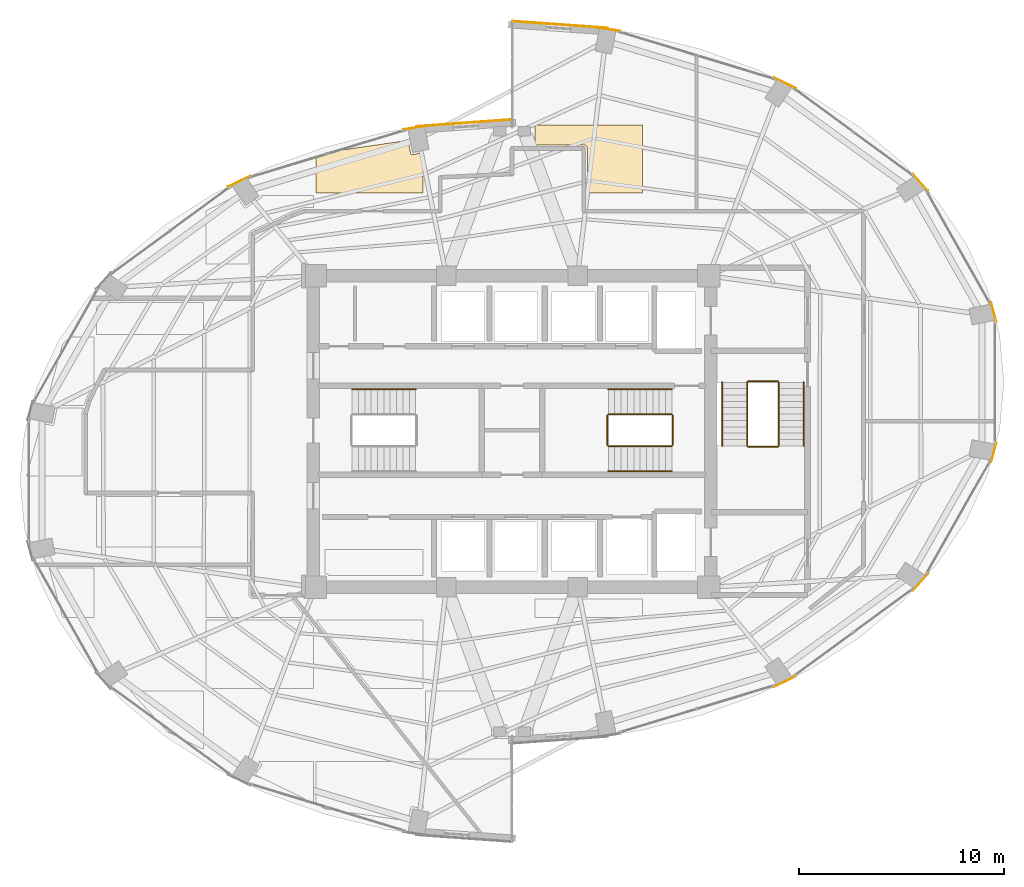
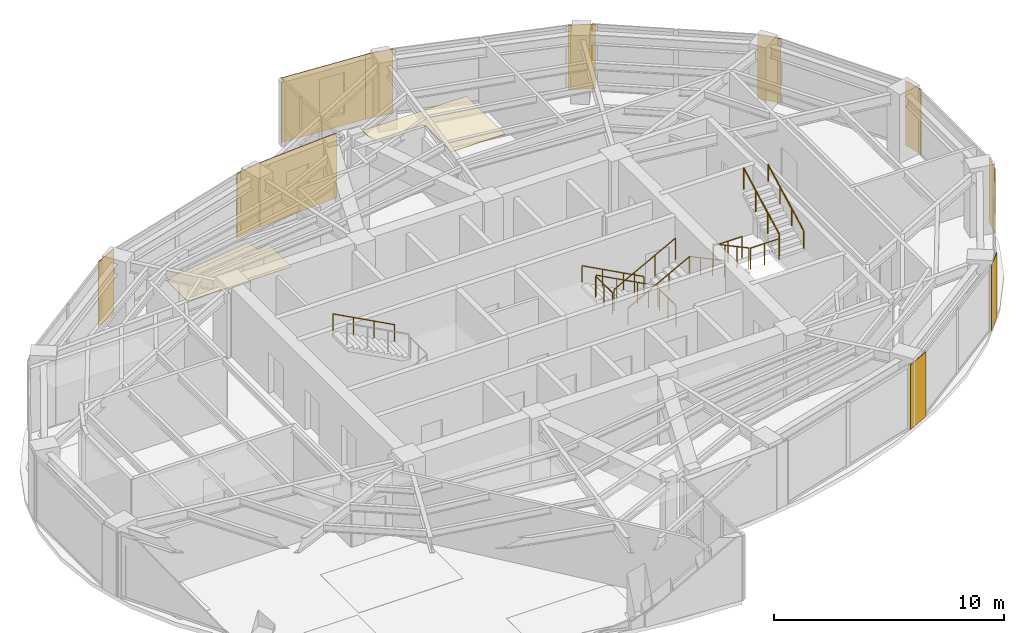
# One storey, part 20 of 20: 13 coverings, 13 railings.
"""IFC4 building model written with IfcOpenShell, lengths in metres."""

from ifc_helpers import new_model, si_unit, direction, frame, origin, origin_2d, place, context, subcontext, project, spatial, polyline, rectangle, circle, outline, extrude, material, layer, layer_set, type_object, element, save


model = new_model("IFC4")

# Units and contexts
model_context = context("Model", 3, precision=1e-05, world=origin(), true_north=direction((0.0, 1.0)))
body_context = subcontext(model_context, "Body", "Model", "MODEL_VIEW")
ifc_project = project(units=[si_unit("LENGTHUNIT", "METRE"), si_unit("AREAUNIT", "SQUARE_METRE"), si_unit("VOLUMEUNIT", "CUBIC_METRE"), si_unit("PLANEANGLEUNIT", "RADIAN"), si_unit("MASSUNIT", "GRAM", prefix="KILO")], contexts=[model_context])

# Site, building, storey
site_placement = place(None, origin())
site = spatial("IfcSite", under=ifc_project, at=site_placement, CompositionType="ELEMENT")
building_placement = place(site_placement, origin())
building = spatial("IfcBuilding", under=site, at=building_placement, Name="Lazwardi Medical Tower", CompositionType="ELEMENT")
storey_placement = place(building_placement, frame((0.0, 0.0, 152.8798828125)))
storey = spatial("IfcBuildingStorey", under=building, at=storey_placement, Name="L39", CompositionType="ELEMENT", Elevation=152.8798828125)

# Coverings
ifc_material_1 = material(Name="Anodised bronze aluminium cassette cladding", Category="aluminium")
ifc_layer_1 = layer(ifc_material_1, 0.030029296875)
ifc_layer_set_1 = layer_set([ifc_layer_1], Name="Anodised bronze aluminium cassette cladding")
covering_type_1 = type_object("IfcCoveringType", Name="COV-CLD-BRZ", PredefinedType="CLADDING", material=ifc_layer_set_1)
covering_1_placement = place(storey_placement, frame((49.31103515625, 15.798095703125, 0.0), z_axis=(0.0, 0.0, 1.0), x_axis=(0.898079014814, 0.439834154144, 0.0)))
element("IfcCovering", 1, at=covering_1_placement, inside=storey, type_object=covering_type_1, Name="L39 Mega-column bronze cassette cover M02", PredefinedType="CLADDING", context=body_context, shape_type="SweptSolid", body=[
    extrude(rectangle(XDim=1.200439453125, YDim=0.030029296875, at=origin_2d()), origin(), (0.0, 0.0, 1.0), 3.427978515625),
])
covering_2_placement = place(storey_placement, frame((55.92138671875, 20.643310546875, 0.0), z_axis=(0.0, 0.0, 1.0), x_axis=(0.673714459537, 0.738991763832, 0.0)))
element("IfcCovering", 2, at=covering_2_placement, inside=storey, type_object=covering_type_1, Name="L39 Mega-column bronze cassette cover M03", PredefinedType="CLADDING", context=body_context, shape_type="SweptSolid", body=[
    extrude(rectangle(XDim=1.0693359375, YDim=0.030029296875, at=origin_2d()), origin(), (0.0, 0.0, 1.0), 3.427978515625),
])
for number, where, z_axis, x_axis, name in (
    (3, (59.498779296875, 26.973876953125, 0.0), (0.0, 0.0, 1.0), (0.261828726257, 0.965114354938, 0.0), "L39 Mega-column bronze cassette cover M04"),
    (4, (59.498779296875, 33.826171875, 0.0), (0.0, 0.0, 1.0), (-0.261828726257, 0.965114354938, 0.0), "L39 Mega-column bronze cassette cover M05"),
):
    element("IfcCovering", number, at=place(storey_placement, frame(where, z_axis=z_axis, x_axis=x_axis)), inside=storey, type_object=covering_type_1, Name=name, PredefinedType="CLADDING", context=body_context, shape_type="SweptSolid", body=[
        extrude(rectangle(XDim=0.9658203125, YDim=0.030029296875, at=origin_2d()), origin(), (0.0, 0.0, 1.0), 3.427978515625),
    ])
covering_3_placement = place(storey_placement, frame((55.92138671875, 40.15673828125, 0.0), z_axis=(0.0, 0.0, 1.0), x_axis=(-0.673714459537, 0.738991763832, 0.0)))
element("IfcCovering", 5, at=covering_3_placement, inside=storey, type_object=covering_type_1, Name="L39 Mega-column bronze cassette cover M06", PredefinedType="CLADDING", context=body_context, shape_type="SweptSolid", body=[
    extrude(rectangle(XDim=1.0693359375, YDim=0.030029296875, at=origin_2d()), origin(), (0.0, 0.0, 1.0), 3.427978515625),
])
covering_4_placement = place(storey_placement, frame((49.31103515625, 45.001953125, 0.0), z_axis=(0.0, 0.0, 1.0), x_axis=(-0.898079014814, 0.439834154144, 0.0)))
element("IfcCovering", 6, at=covering_4_placement, inside=storey, type_object=covering_type_1, Name="L39 Mega-column bronze cassette cover M07", PredefinedType="CLADDING", context=body_context, shape_type="SweptSolid", body=[
    extrude(rectangle(XDim=1.200439453125, YDim=0.030029296875, at=origin_2d()), origin(), (0.0, 0.0, 1.0), 3.427978515625),
])
for number, where, z_axis, x_axis, name in (
    (7, (40.67431640625, 47.6240234375, 0.0), (0.0, 0.0, 1.0), (-0.989539138138, 0.144264666823, 0.0), "L39 Mega-column bronze cassette cover M08"),
    (8, (31.32568359375, 42.82421875, 0.0), (0.0, 0.0, 1.0), (-0.989539138138, -0.144264666823, 0.0), "L39 Mega-column bronze cassette cover M09"),
):
    element("IfcCovering", number, at=place(storey_placement, frame(where, z_axis=z_axis, x_axis=x_axis)), inside=storey, type_object=covering_type_1, Name=name, PredefinedType="CLADDING", context=body_context, shape_type="SweptSolid", body=[
        extrude(rectangle(XDim=1.28515625, YDim=0.030029296875, at=origin_2d()), origin(), (0.0, 0.0, 1.0), 3.427978515625),
    ])
covering_5_placement = place(storey_placement, frame((22.68896484375, 40.201904296875, 0.0), z_axis=(0.0, 0.0, 1.0), x_axis=(-0.898079014814, -0.439834154144, 0.0)))
element("IfcCovering", 9, at=covering_5_placement, inside=storey, type_object=covering_type_1, Name="L39 Mega-column bronze cassette cover M10", PredefinedType="CLADDING", context=body_context, shape_type="SweptSolid", body=[
    extrude(rectangle(XDim=1.200439453125, YDim=0.030029296875, at=origin_2d()), origin(), (0.0, 0.0, 1.0), 3.427978515625),
])
ifc_material_2 = material(Name="Turquoise glazed ceramic tilework cladding", Category="masonry")
ifc_layer_2 = layer(ifc_material_2, 0.034912109375)
ifc_layer_set_2 = layer_set([ifc_layer_2], Name="Turquoise glazed ceramic tilework cladding")
covering_type_2 = type_object("IfcCoveringType", Name="COV-CLD-TRQ", PredefinedType="CLADDING", material=ifc_layer_set_2)
covering_6_placement = place(storey_placement, frame((38.338134765625, 47.847412109375, 0.0), z_axis=(0.0, 0.0, 1.0), x_axis=(-0.997414510753, 0.071863020663, 0.0)))
element("IfcCovering", 10, at=covering_6_placement, inside=storey, type_object=covering_type_2, Name="L39 Turquoise glazed ceramic tilework cladding", PredefinedType="CLADDING", context=body_context, shape_type="SweptSolid", body=[
    extrude(rectangle(XDim=4.6630859375, YDim=0.034912109375, at=origin_2d()), origin(), (0.0, 0.0, 1.0), 3.427978515625),
])
covering_7_placement = place(storey_placement, frame((33.66162109375, 43.047607421875, 0.0), z_axis=(0.0, 0.0, 1.0), x_axis=(-0.997414134466, -0.071868243112, 0.0)))
element("IfcCovering", 11, at=covering_7_placement, inside=storey, type_object=covering_type_2, Name="L39 Turquoise glazed ceramic tilework cladding", PredefinedType="CLADDING", context=body_context, shape_type="SweptSolid", body=[
    extrude(rectangle(XDim=4.66259765625, YDim=0.034912109375, at=origin_2d()), origin(), (0.0, 0.0, 1.0), 3.427978515625),
])
ifc_material_3 = material(Name="Acoustic mineral fibre tile")
ifc_layer_3 = layer(ifc_material_3, 0.02490234375)
ifc_layer_set_3 = layer_set([ifc_layer_3], Name="Acoustic mineral fibre tile")
covering_type_3 = type_object("IfcCoveringType", Name="COV-CLG-01", PredefinedType="CEILING", material=ifc_layer_set_3)
covering_8_placement = place(storey_placement, frame((0.0, 0.0, 3.283203125)))
element("IfcCovering", 12, at=covering_8_placement, inside=storey, type_object=covering_type_3, Name="L39 Clinical Acoustic Ceiling 10", PredefinedType="CEILING", context=body_context, shape_type="SweptSolid", body=[
    extrude(outline(polyline([(37.1328125, 41.97509765625), (39.5, 41.97509765625), (39.50439453125, 41.974853515625), (39.513671875, 41.974365234375), (39.5205078125, 41.9736328125), (39.52978515625, 41.972412109375), (39.5380859375, 41.970703125), (39.547119140625, 41.968505859375), (39.55419921875, 41.96630859375), (39.56298828125, 41.96337890625), (39.57080078125, 41.9599609375), (39.5791015625, 41.9560546875), (39.5859375, 41.952392578125), (39.593994140625, 41.947509765625), (39.6005859375, 41.943115234375), (39.608154296875, 41.9375), (39.61376953125, 41.932861328125), (39.62060546875, 41.9267578125), (39.626708984375, 41.920654296875), (39.6328125, 41.913818359375), (39.637451171875, 41.908203125), (39.64306640625, 41.900634765625), (39.647705078125, 41.89404296875), (39.65234375, 41.885986328125), (39.656005859375, 41.879150390625), (39.659912109375, 41.870849609375), (39.663330078125, 41.863037109375), (39.66650390625, 41.854248046875), (39.66845703125, 41.84716796875), (39.6708984375, 41.838134765625), (39.67236328125, 41.82958984375), (39.673583984375, 41.820556640625), (39.67431640625, 41.813720703125), (39.6748046875, 41.80419921875), (39.675048828125, 41.800048828125), (39.675048828125, 39.62255859375), (42.36279296875, 39.62255859375), (42.36279296875, 42.952392578125), (37.1328125, 42.952392578125), (37.1328125, 41.97509765625)])), origin(), (0.0, 0.0, 1.0), 0.02490234375),
])
ifc_material_4 = material(Name="Anti-static hospital vinyl sheet flooring")
ifc_layer_4 = layer(ifc_material_4, 0.014892578125)
ifc_layer_set_4 = layer_set([ifc_layer_4], Name="Anti-static hospital vinyl sheet flooring")
covering_type_4 = type_object("IfcCoveringType", Name="COV-FLR-01", PredefinedType="FLOORING", material=ifc_layer_set_4)
covering_9_placement = place(storey_placement, origin())
element("IfcCovering", 13, at=covering_9_placement, inside=storey, type_object=covering_type_4, Name="L39 Clinical Vinyl Flooring 10", PredefinedType="FLOORING", context=body_context, shape_type="SweptSolid", body=[
    extrude(outline(polyline([(31.662841796875, 41.60498046875), (31.149658203125, 41.502685546875), (31.141845703125, 41.501708984375), (31.134033203125, 41.501220703125), (31.126220703125, 41.501708984375), (31.118408203125, 41.502685546875), (31.11083984375, 41.504638671875), (31.103515625, 41.50732421875), (31.096435546875, 41.5107421875), (31.089599609375, 41.514892578125), (31.083251953125, 41.51953125), (31.077392578125, 41.524658203125), (31.072265625, 41.530517578125), (31.067626953125, 41.536865234375), (31.0634765625, 41.543701171875), (31.060302734375, 41.55078125), (31.0576171875, 41.55810546875), (31.0556640625, 41.565673828125), (30.92919921875, 42.201416015625), (26.908447265625, 41.61669921875), (26.432861328125, 41.38427734375), (26.432861328125, 39.62255859375), (31.662841796875, 39.62255859375), (31.662841796875, 41.60498046875)])), origin(), (0.0, 0.0, 1.0), 0.01513671875),
])

# Railings
ifc_material_5 = material(Name="Stainless steel Grade 316", Category="steel")
railing_type_1 = type_object("IfcRailingType", Name="RLG-GRD-1150", PredefinedType="GUARDRAIL", material=ifc_material_5)
railing_1_placement = place(storey_placement, frame((43.800048828125, 28.830078125, 0.166015625)))
element("IfcRailing", 14, at=railing_1_placement, inside=storey, type_object=railing_type_1, Name="L39 ST2 stair guard 1", PredefinedType="GUARDRAIL", context=body_context, shape_type="SweptSolid", body=[
    extrude(circle(Radius=0.02392578125, at=origin_2d()), frame((0.0, 0.0, 1.1259765625), z_axis=(-0.881783298633, 0.0, 0.471654761719), x_axis=(0.0, -1.0, 0.0)), (0.0, 0.0, 1.0), 3.515625),
    extrude(circle(Radius=0.02099609375, at=origin_2d()), origin(), (0.0, 0.0, 1.0), 1.099853515625),
    extrude(circle(Radius=0.02099609375, at=origin_2d()), frame((-1.033447265625, 0.0, 0.552734375)), (0.0, 0.0, 1.0), 1.099853515625),
    extrude(circle(Radius=0.02099609375, at=origin_2d()), frame((-2.066650390625, 0.0, 1.10546875)), (0.0, 0.0, 1.0), 1.099853515625),
    extrude(circle(Radius=0.02099609375, at=origin_2d()), frame((-3.10009765625, 0.0, 1.658203125)), (0.0, 0.0, 1.0), 1.099853515625),
])
railing_2_placement = place(storey_placement, frame((40.64990234375, 28.780029296875, 1.82421875)))
element("IfcRailing", 15, at=railing_2_placement, inside=storey, type_object=railing_type_1, Name="L39 ST2 stair guard 2", PredefinedType="GUARDRAIL", context=body_context, shape_type="SweptSolid", body=[
    extrude(circle(Radius=0.02392578125, at=origin_2d()), frame((0.0, 0.0, 1.1259765625), z_axis=(0.0, -1.0, 0.0), x_axis=(1.0, 0.0, 0.0)), (0.0, 0.0, 1.0), 1.43994140625),
    extrude(circle(Radius=0.02099609375, at=origin_2d()), origin(), (0.0, 0.0, 1.0), 1.099853515625),
    extrude(circle(Radius=0.02099609375, at=origin_2d()), frame((0.0, -0.719970703125, 0.0)), (0.0, 0.0, 1.0), 1.099853515625),
    extrude(circle(Radius=0.02099609375, at=origin_2d()), frame((0.0, -1.43994140625, 0.0)), (0.0, 0.0, 1.0), 1.099853515625),
])
railing_3_placement = place(storey_placement, frame((40.699951171875, 27.2900390625, 1.989990234375)))
element("IfcRailing", 16, at=railing_3_placement, inside=storey, type_object=railing_type_1, Name="L39 ST2 stair guard 3", PredefinedType="GUARDRAIL", context=body_context, shape_type="SweptSolid", body=[
    extrude(circle(Radius=0.02392578125, at=origin_2d()), frame((0.0, 0.0, 1.1259765625), z_axis=(0.881783298633, 0.0, 0.471654761719), x_axis=(0.0, 1.0, 0.0)), (0.0, 0.0, 1.0), 3.515625),
    extrude(circle(Radius=0.02099609375, at=origin_2d()), origin(), (0.0, 0.0, 1.0), 1.099853515625),
    extrude(circle(Radius=0.02099609375, at=origin_2d()), frame((1.033447265625, 0.0, 0.552734375)), (0.0, 0.0, 1.0), 1.099853515625),
    extrude(circle(Radius=0.02099609375, at=origin_2d()), frame((2.066650390625, 0.0, 1.10546875)), (0.0, 0.0, 1.0), 1.099853515625),
    extrude(circle(Radius=0.02099609375, at=origin_2d()), frame((3.10009765625, 0.0, 1.658203125)), (0.0, 0.0, 1.0), 1.099853515625),
])
railing_4_placement = place(storey_placement, frame((43.85009765625, 28.780029296875, 0.0)))
element("IfcRailing", 17, at=railing_4_placement, inside=storey, type_object=railing_type_1, Name="L39 ST2 stair guard 4", PredefinedType="GUARDRAIL", context=body_context, shape_type="SweptSolid", body=[
    extrude(circle(Radius=0.02392578125, at=origin_2d()), frame((0.0, 0.0, 1.1259765625), z_axis=(0.0, -1.0, 0.0), x_axis=(1.0, 0.0, 0.0)), (0.0, 0.0, 1.0), 1.43994140625),
    extrude(circle(Radius=0.02099609375, at=origin_2d()), origin(), (0.0, 0.0, 1.0), 1.099853515625),
    extrude(circle(Radius=0.02099609375, at=origin_2d()), frame((0.0, -0.719970703125, 0.0)), (0.0, 0.0, 1.0), 1.099853515625),
    extrude(circle(Radius=0.02099609375, at=origin_2d()), frame((0.0, -1.43994140625, 0.0)), (0.0, 0.0, 1.0), 1.099853515625),
])
railing_5_placement = place(storey_placement, frame((47.469970703125, 30.39990234375, 0.166015625)))
element("IfcRailing", 18, at=railing_5_placement, inside=storey, type_object=railing_type_1, Name="L39 ST3 stair guard 1", PredefinedType="GUARDRAIL", context=body_context, shape_type="SweptSolid", body=[
    extrude(circle(Radius=0.02392578125, at=origin_2d()), frame((0.0, 0.0, 1.1259765625), z_axis=(0.0, -0.881767849116, 0.471683644262), x_axis=(1.0, 0.0, 0.0)), (0.0, 0.0, 1.0), 3.515380859375),
    extrude(circle(Radius=0.02099609375, at=origin_2d()), origin(), (0.0, 0.0, 1.0), 1.099853515625),
    extrude(circle(Radius=0.02099609375, at=origin_2d()), frame((0.0, -1.033203125, 0.552734375)), (0.0, 0.0, 1.0), 1.099853515625),
    extrude(circle(Radius=0.02099609375, at=origin_2d()), frame((0.0, -2.066650390625, 1.10546875)), (0.0, 0.0, 1.0), 1.099853515625),
    extrude(circle(Radius=0.02099609375, at=origin_2d()), frame((0.0, -3.099853515625, 1.658203125)), (0.0, 0.0, 1.0), 1.099853515625),
])
railing_6_placement = place(storey_placement, frame((47.52001953125, 27.25, 1.82421875)))
element("IfcRailing", 19, at=railing_6_placement, inside=storey, type_object=railing_type_1, Name="L39 ST3 stair guard 2", PredefinedType="GUARDRAIL", context=body_context, shape_type="SweptSolid", body=[
    extrude(circle(Radius=0.02392578125, at=origin_2d()), frame((0.0, 0.0, 1.1259765625), z_axis=(1.0, 0.0, 0.0), x_axis=(0.0, 1.0, 0.0)), (0.0, 0.0, 1.0), 1.43994140625),
    extrude(circle(Radius=0.02099609375, at=origin_2d()), origin(), (0.0, 0.0, 1.0), 1.099853515625),
    extrude(circle(Radius=0.02099609375, at=origin_2d()), frame((0.719970703125, 0.0, 0.0)), (0.0, 0.0, 1.0), 1.099853515625),
    extrude(circle(Radius=0.02099609375, at=origin_2d()), frame((1.43994140625, 0.0, 0.0)), (0.0, 0.0, 1.0), 1.099853515625),
])
railing_7_placement = place(storey_placement, frame((49.010009765625, 27.300048828125, 1.989990234375)))
element("IfcRailing", 20, at=railing_7_placement, inside=storey, type_object=railing_type_1, Name="L39 ST3 stair guard 3", PredefinedType="GUARDRAIL", context=body_context, shape_type="SweptSolid", body=[
    extrude(circle(Radius=0.02392578125, at=origin_2d()), frame((0.0, 0.0, 1.1259765625), z_axis=(0.0, 0.881767849116, 0.471683644262), x_axis=(-1.0, 0.0, 0.0)), (0.0, 0.0, 1.0), 3.515380859375),
    extrude(circle(Radius=0.02099609375, at=origin_2d()), origin(), (0.0, 0.0, 1.0), 1.099853515625),
    extrude(circle(Radius=0.02099609375, at=origin_2d()), frame((0.0, 1.033203125, 0.552734375)), (0.0, 0.0, 1.0), 1.099853515625),
    extrude(circle(Radius=0.02099609375, at=origin_2d()), frame((0.0, 2.066650390625, 1.10546875)), (0.0, 0.0, 1.0), 1.099853515625),
    extrude(circle(Radius=0.02099609375, at=origin_2d()), frame((0.0, 3.099853515625, 1.658203125)), (0.0, 0.0, 1.0), 1.099853515625),
])
railing_8_placement = place(storey_placement, frame((47.52001953125, 30.449951171875, 0.0)))
element("IfcRailing", 21, at=railing_8_placement, inside=storey, type_object=railing_type_1, Name="L39 ST3 stair guard 4", PredefinedType="GUARDRAIL", context=body_context, shape_type="SweptSolid", body=[
    extrude(circle(Radius=0.02392578125, at=origin_2d()), frame((0.0, 0.0, 1.1259765625), z_axis=(1.0, 0.0, 0.0), x_axis=(0.0, 1.0, 0.0)), (0.0, 0.0, 1.0), 1.43994140625),
    extrude(circle(Radius=0.02099609375, at=origin_2d()), origin(), (0.0, 0.0, 1.0), 1.099853515625),
    extrude(circle(Radius=0.02099609375, at=origin_2d()), frame((0.719970703125, 0.0, 0.0)), (0.0, 0.0, 1.0), 1.099853515625),
    extrude(circle(Radius=0.02099609375, at=origin_2d()), frame((1.43994140625, 0.0, 0.0)), (0.0, 0.0, 1.0), 1.099853515625),
])
railing_type_2 = type_object("IfcRailingType", Name="RLG-HND-920", PredefinedType="HANDRAIL", material=ifc_material_5)
for number, where, name in (
    (22, (31.300048828125, 30.050048828125, 1.989990234375), "L39 ST1 stair handrail 2"),
    (23, (43.800048828125, 30.050048828125, 0.166015625), "L39 ST2 stair handrail 1"),
):
    element("IfcRailing", number, at=place(storey_placement, frame(where)), inside=storey, type_object=railing_type_2, Name=name, PredefinedType="HANDRAIL", context=body_context, shape_type="SweptSolid", body=[
        extrude(circle(Radius=0.02392578125, at=origin_2d()), frame((0.0, 0.0, 0.8857421875), z_axis=(-0.881783298633, 0.0, 0.471654761719), x_axis=(0.0, -1.0, 0.0)), (0.0, 0.0, 1.0), 3.515625),
        extrude(circle(Radius=0.02099609375, at=origin_2d()), origin(), (0.0, 0.0, 1.0), 0.85986328125),
        extrude(circle(Radius=0.02099609375, at=origin_2d()), frame((-1.033447265625, 0.0, 0.552734375)), (0.0, 0.0, 1.0), 0.85986328125),
        extrude(circle(Radius=0.02099609375, at=origin_2d()), frame((-2.066650390625, 0.0, 1.10546875)), (0.0, 0.0, 1.0), 0.85986328125),
        extrude(circle(Radius=0.02099609375, at=origin_2d()), frame((-3.10009765625, 0.0, 1.658203125)), (0.0, 0.0, 1.0), 0.85986328125),
    ])
railing_9_placement = place(storey_placement, frame((40.699951171875, 26.070068359375, 1.989990234375)))
element("IfcRailing", 24, at=railing_9_placement, inside=storey, type_object=railing_type_2, Name="L39 ST2 stair handrail 2", PredefinedType="HANDRAIL", context=body_context, shape_type="SweptSolid", body=[
    extrude(circle(Radius=0.02392578125, at=origin_2d()), frame((0.0, 0.0, 0.8857421875), z_axis=(0.881783298633, 0.0, 0.471654761719), x_axis=(0.0, 1.0, 0.0)), (0.0, 0.0, 1.0), 3.515625),
    extrude(circle(Radius=0.02099609375, at=origin_2d()), origin(), (0.0, 0.0, 1.0), 0.85986328125),
    extrude(circle(Radius=0.02099609375, at=origin_2d()), frame((1.033447265625, 0.0, 0.552734375)), (0.0, 0.0, 1.0), 0.85986328125),
    extrude(circle(Radius=0.02099609375, at=origin_2d()), frame((2.066650390625, 0.0, 1.10546875)), (0.0, 0.0, 1.0), 0.85986328125),
    extrude(circle(Radius=0.02099609375, at=origin_2d()), frame((3.10009765625, 0.0, 1.658203125)), (0.0, 0.0, 1.0), 0.85986328125),
])
railing_10_placement = place(storey_placement, frame((46.25, 30.39990234375, 0.166015625)))
element("IfcRailing", 25, at=railing_10_placement, inside=storey, type_object=railing_type_2, Name="L39 ST3 stair handrail 1", PredefinedType="HANDRAIL", context=body_context, shape_type="SweptSolid", body=[
    extrude(circle(Radius=0.02392578125, at=origin_2d()), frame((0.0, 0.0, 0.8857421875), z_axis=(0.0, -0.881767849116, 0.471683644262), x_axis=(1.0, 0.0, 0.0)), (0.0, 0.0, 1.0), 3.515380859375),
    extrude(circle(Radius=0.02099609375, at=origin_2d()), origin(), (0.0, 0.0, 1.0), 0.85986328125),
    extrude(circle(Radius=0.02099609375, at=origin_2d()), frame((0.0, -1.033203125, 0.552734375)), (0.0, 0.0, 1.0), 0.85986328125),
    extrude(circle(Radius=0.02099609375, at=origin_2d()), frame((0.0, -2.066650390625, 1.10546875)), (0.0, 0.0, 1.0), 0.85986328125),
    extrude(circle(Radius=0.02099609375, at=origin_2d()), frame((0.0, -3.099853515625, 1.658203125)), (0.0, 0.0, 1.0), 0.85986328125),
])
railing_11_placement = place(storey_placement, frame((50.22998046875, 27.300048828125, 1.989990234375)))
element("IfcRailing", 26, at=railing_11_placement, inside=storey, type_object=railing_type_2, Name="L39 ST3 stair handrail 2", PredefinedType="HANDRAIL", context=body_context, shape_type="SweptSolid", body=[
    extrude(circle(Radius=0.02392578125, at=origin_2d()), frame((0.0, 0.0, 0.8857421875), z_axis=(0.0, 0.881767849116, 0.471683644262), x_axis=(-1.0, 0.0, 0.0)), (0.0, 0.0, 1.0), 3.515380859375),
    extrude(circle(Radius=0.02099609375, at=origin_2d()), origin(), (0.0, 0.0, 1.0), 0.85986328125),
    extrude(circle(Radius=0.02099609375, at=origin_2d()), frame((0.0, 1.033203125, 0.552734375)), (0.0, 0.0, 1.0), 0.85986328125),
    extrude(circle(Radius=0.02099609375, at=origin_2d()), frame((0.0, 2.066650390625, 1.10546875)), (0.0, 0.0, 1.0), 0.85986328125),
    extrude(circle(Radius=0.02099609375, at=origin_2d()), frame((0.0, 3.099853515625, 1.658203125)), (0.0, 0.0, 1.0), 0.85986328125),
])

save(model, "model.ifc")
